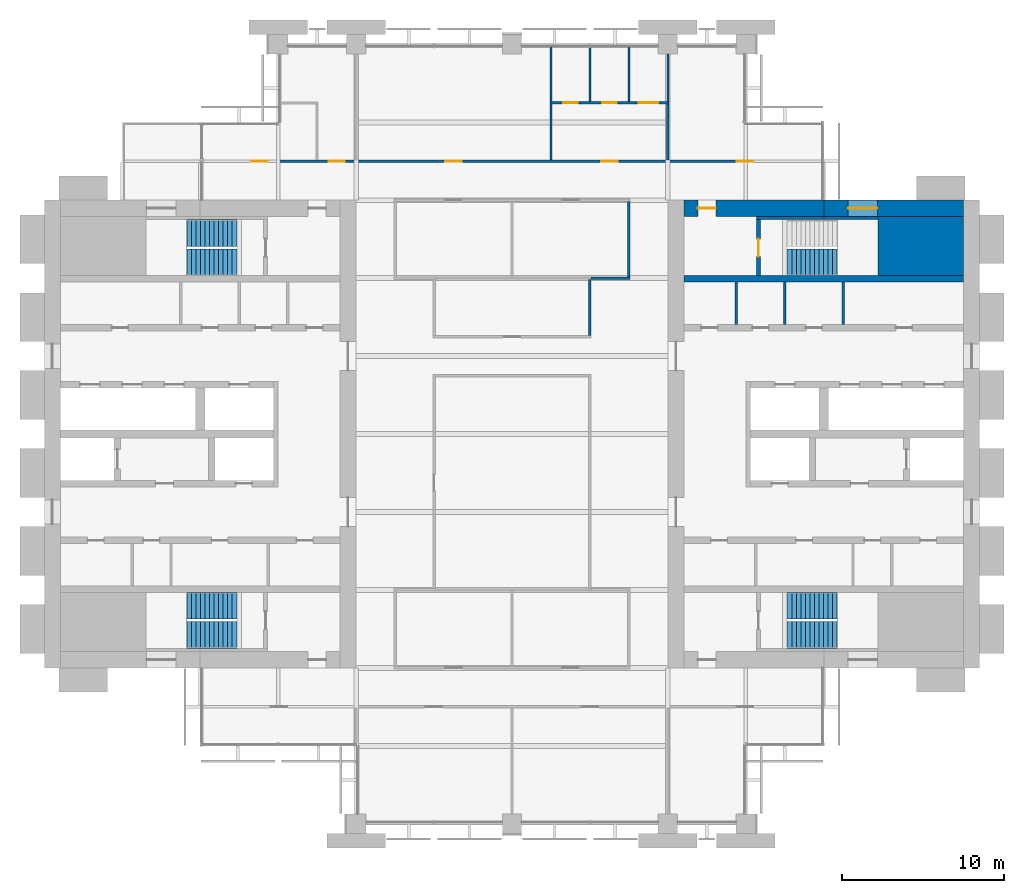
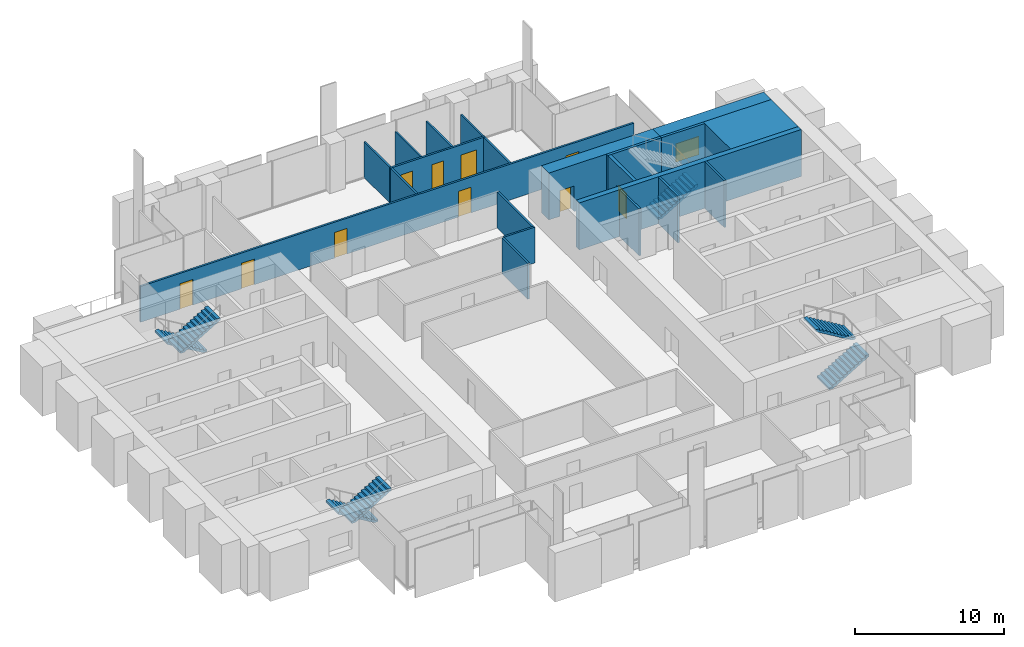
# One storey, part 12 of 14: 21 walls, 10 doors, 7 stair flights, 1 window, 11 openings, 4 elements without a shape of their own.
"""IFC4 building model written with IfcOpenShell, lengths in metres."""

from ifc_helpers import new_model, si_unit, direction, frame, frame_2d, origin, place, context, subcontext, project, spatial, polyline, rectangle, outline, extrude, material, layer, layer_set, type_object, element, fill, aggregate, save


model = new_model("IFC4")

# Units and contexts
model_context = context("Model", 3, precision=1e-05, world=origin(), true_north=direction((0.0, 1.0)))
body_context = subcontext(model_context, "Body", "Model", "MODEL_VIEW")
ifc_project = project(units=[si_unit("LENGTHUNIT", "METRE"), si_unit("AREAUNIT", "SQUARE_METRE"), si_unit("VOLUMEUNIT", "CUBIC_METRE"), si_unit("PLANEANGLEUNIT", "RADIAN"), si_unit("MASSUNIT", "GRAM", prefix="KILO")], contexts=[model_context])

# Site, building, storey
site_placement = place(None, origin())
site = spatial("IfcSite", under=ifc_project, at=site_placement, CompositionType="ELEMENT")
building_placement = place(site_placement, origin())
building = spatial("IfcBuilding", under=site, at=building_placement, Name="Baori Bourse Tower", CompositionType="ELEMENT")
storey_placement = place(building_placement, frame((0.0, 0.0, 168.10009765625)))
storey = spatial("IfcBuildingStorey", under=building, at=storey_placement, Name="L37", CompositionType="ELEMENT", Elevation=168.10009765625)

# Walls
ifc_material_1 = material(Name="Concrete f'c 60 MPa", Category="concrete")
wall_type_1 = type_object("IfcWallType", Name="Core corner block f'c 60", PredefinedType="SHEAR", material=ifc_material_1)
wall_1_placement = place(storey_placement, frame((51.35009765625, 35.574951171875, 0.0), z_axis=(0.0, 0.0, 1.0), x_axis=(1.0, 0.0, 0.0)))
element("IfcWall", 1, at=wall_1_placement, inside=storey, type_object=wall_type_1, Name="Core wall E26", PredefinedType="SHEAR", context=body_context, shape_type="SweptSolid", body=[
    extrude(rectangle(XDim=5.25, YDim=3.64990234375, at=frame_2d((2.625, 0.0))), origin(), (0.0, 0.0, 1.0), 3.83984375),
])
ifc_material_2 = material(Name="Blockwork partition", Category="masonry")
ifc_layer_1 = layer(ifc_material_2, 0.14990234375)
ifc_layer_set_1 = layer_set([ifc_layer_1], Name="Core partition 150")
wall_type_2 = type_object("IfcWallType", Name="Core partition 150", PredefinedType="PARTITIONING", material=ifc_layer_set_1)
for number, where, z_axis, x_axis, name in (
    (2, (49.199951171875, 30.75, 0.0), (0.0, 0.0, 1.0), (0.0, 1.0, 0.0), "Partition wall E22"),
    (3, (45.60009765625, 30.75, 0.0), (0.0, 0.0, 1.0), (0.0, 1.0, 0.0), "Partition wall E23"),
    (4, (42.60009765625, 30.75, 0.0), (0.0, 0.0, 1.0), (0.0, 1.0, 0.0), "Partition wall E24"),
):
    element("IfcWall", number, at=place(storey_placement, frame(where, z_axis=z_axis, x_axis=x_axis)), inside=storey, type_object=wall_type_2, Name=name, PredefinedType="PARTITIONING", context=body_context, shape_type="SweptSolid", body=[
        extrude(rectangle(XDim=2.60009765625, YDim=0.14990234375, at=frame_2d((1.300048828125, 0.0))), origin(), (0.0, 0.0, 1.0), 3.83984375),
    ])

# Wall, opening, window
ifc_material_3 = material(Name="Concrete f'c 60 MPa", Category="concrete")
ifc_layer_2 = layer(ifc_material_3, 1.0)
ifc_layer_set_2 = layer_set([ifc_layer_2], Name="Core wall 1000 f'c 60")
wall_type_3 = type_object("IfcWallType", Name="Core wall 1000 f'c 60", PredefinedType="SHEAR", material=ifc_layer_set_2)
wall_2_placement = place(storey_placement, frame((48.0, 37.89990234375, 0.0), z_axis=(0.0, 0.0, 1.0), x_axis=(1.0, 0.0, 0.0)))
wall_2 = element("IfcWall", 5, at=wall_2_placement, inside=storey, type_object=wall_type_3, Name="Core wall E30", PredefinedType="SHEAR", context=body_context, shape_type="SweptSolid", body=[
    extrude(rectangle(XDim=8.60009765625, YDim=1.0, at=frame_2d((4.300048828125, 0.0))), origin(), (0.0, 0.0, 1.0), 3.83984375),
])
opening_1_placement = place(wall_2_placement, frame((1.5, 0.0, 0.89990234375)))
opening_1 = element("IfcOpeningElement", 6, at=opening_1_placement, cuts=wall_2, Name="Opening L37-KW204", PredefinedType="OPENING", context=body_context, shape_type="SweptSolid", body=[
    extrude(rectangle(XDim=1.800048828125, YDim=1.5, at=frame_2d((0.89990234375, 0.75))), frame((0.0, 0.510009765625, 0.0), z_axis=(0.0, -1.0, 0.0), x_axis=(1.0, 0.0, 0.0)), (0.0, 0.0, 1.0), 1.02001953125),
])
ifc_material_4 = material(Name="Pale anodised aluminium", Category="aluminium")
window_type = type_object("IfcWindowType", Name="Stair window 1800 x 1500", PartitioningType="SINGLE_PANEL", PredefinedType="WINDOW", material=ifc_material_4)
window_placement = place(opening_1_placement, origin())
window = element("IfcWindow", 7, at=window_placement, inside=storey, type_object=window_type, Name="Stair window E L37 4", OverallHeight=1.5, OverallWidth=1.800048828125, PartitioningType="SINGLE_PANEL", PredefinedType="WINDOW", context=body_context, shape_type="SweptSolid", body=[
    extrude(rectangle(XDim=1.800048828125, YDim=1.5, at=frame_2d((0.89990234375, 0.75))), frame((0.0, 0.030029296875, 0.0), z_axis=(0.0, -1.0, 0.0), x_axis=(1.0, 0.0, 0.0)), (0.0, 0.0, 1.0), 0.06005859375),
])
fill(opening_1, window)

# Wall, opening, door
wall_3_placement = place(storey_placement, frame((39.39990234375, 37.89990234375, 0.0), z_axis=(0.0, 0.0, 1.0), x_axis=(1.0, 0.0, 0.0)))
wall_3 = element("IfcWall", 8, at=wall_3_placement, inside=storey, type_object=wall_type_3, Name="Core wall E31", PredefinedType="SHEAR", context=body_context, shape_type="SweptSolid", body=[
    extrude(rectangle(XDim=8.60009765625, YDim=1.0, at=frame_2d((4.300048828125, 0.0))), origin(), (0.0, 0.0, 1.0), 3.83984375),
])
opening_2_placement = place(wall_3_placement, frame((0.85009765625, 0.0, 0.0)))
opening_2 = element("IfcOpeningElement", 9, at=opening_2_placement, cuts=wall_3, Name="Opening L37-D204", PredefinedType="OPENING", context=body_context, shape_type="SweptSolid", body=[
    extrude(rectangle(XDim=1.10009765625, YDim=2.10009765625, at=frame_2d((0.550048828125, 1.050048828125))), frame((0.0, 0.510009765625, 0.0), z_axis=(0.0, -1.0, 0.0), x_axis=(1.0, 0.0, 0.0)), (0.0, 0.0, 1.0), 1.02001953125),
])
ifc_material_5 = material(Name="Painted steel door", Category="steel")
door_type_1 = type_object("IfcDoorType", Name="Stair door 1100", OperationType="SINGLE_SWING_LEFT", PredefinedType="DOOR", material=ifc_material_5)
door_1_placement = place(opening_2_placement, origin())
door_1 = element("IfcDoor", 10, at=door_1_placement, inside=storey, type_object=door_type_1, Name="Stair vestibule door B E L37", OperationType="SINGLE_SWING_LEFT", OverallHeight=2.10009765625, OverallWidth=1.10009765625, PredefinedType="DOOR", context=body_context, shape_type="SweptSolid", body=[
    extrude(rectangle(XDim=1.10009765625, YDim=2.10009765625, at=frame_2d((0.550048828125, 1.050048828125))), frame((0.0, 0.02490234375, 0.0), z_axis=(0.0, -1.0, 0.0), x_axis=(1.0, 0.0, 0.0)), (0.0, 0.0, 1.0), 0.050048828125),
])
fill(opening_2, door_1)

# Wall
ifc_material_6 = material(Name="Gypsum board partition")
ifc_layer_3 = layer(ifc_material_6, 0.14990234375)
ifc_layer_set_3 = layer_set([ifc_layer_3], Name="Corridor partition 150")
wall_type_4 = type_object("IfcWallType", Name="Corridor partition 150", PredefinedType="PARTITIONING", material=ifc_layer_set_3)
wall_4_placement = place(storey_placement, frame((33.675048828125, 33.60009765625, 0.0), z_axis=(0.0, 0.0, 1.0), x_axis=(1.0, 0.0, 0.0)))
element("IfcWall", 11, at=wall_4_placement, inside=storey, type_object=wall_type_4, Name="Partition", PredefinedType="PARTITIONING", context=body_context, shape_type="SweptSolid", body=[
    extrude(rectangle(XDim=2.39990234375, YDim=0.14990234375, at=frame_2d((1.199951171875, 0.0))), origin(), (0.0, 0.0, 1.0), 2.935546875),
])

# Wall, openings, doors
wall_5_placement = place(storey_placement, frame((9.699951171875, 40.800048828125, 0.0), z_axis=(0.0, 0.0, 1.0), x_axis=(1.0, 0.0, 0.0)))
wall_5 = element("IfcWall", 12, at=wall_5_placement, inside=storey, type_object=wall_type_4, Name="Partition", PredefinedType="PARTITIONING", context=body_context, shape_type="SweptSolid", body=[
    extrude(rectangle(XDim=38.199951171875, YDim=0.14990234375, at=frame_2d((19.10009765625, 0.0))), origin(), (0.0, 0.0, 1.0), 2.935546875),
])
opening_3_placement = place(wall_5_placement, frame((3.050048828125, 0.0, 0.0)))
opening_3 = element("IfcOpeningElement", 13, at=opening_3_placement, cuts=wall_5, Name="Opening L37-D10", PredefinedType="OPENING", context=body_context, shape_type="SweptSolid", body=[
    extrude(rectangle(XDim=1.0, YDim=2.10009765625, at=frame_2d((0.5, 1.050048828125))), frame((0.0, 0.0849609375, 0.0), z_axis=(0.0, -1.0, 0.0), x_axis=(1.0, 0.0, 0.0)), (0.0, 0.0, 1.0), 0.169921875),
])
opening_4_placement = place(wall_5_placement, frame((7.800048828125, 0.0, 0.0)))
opening_4 = element("IfcOpeningElement", 14, at=opening_4_placement, cuts=wall_5, Name="Opening L37-D11", PredefinedType="OPENING", context=body_context, shape_type="SweptSolid", body=[
    extrude(rectangle(XDim=1.0, YDim=2.10009765625, at=frame_2d((0.5, 1.050048828125))), frame((0.0, 0.0849609375, 0.0), z_axis=(0.0, -1.0, 0.0), x_axis=(1.0, 0.0, 0.0)), (0.0, 0.0, 1.0), 0.169921875),
])
opening_5_placement = place(wall_5_placement, frame((15.0, 0.0, 0.0)))
opening_5 = element("IfcOpeningElement", 15, at=opening_5_placement, cuts=wall_5, Name="Opening L37-D12", PredefinedType="OPENING", context=body_context, shape_type="SweptSolid", body=[
    extrude(rectangle(XDim=1.0, YDim=2.10009765625, at=frame_2d((0.5, 1.050048828125))), frame((0.0, 0.0849609375, 0.0), z_axis=(0.0, -1.0, 0.0), x_axis=(1.0, 0.0, 0.0)), (0.0, 0.0, 1.0), 0.169921875),
])
opening_6_placement = place(wall_5_placement, frame((24.60009765625, 0.0, 0.0)))
opening_6 = element("IfcOpeningElement", 16, at=opening_6_placement, cuts=wall_5, Name="Opening L37-D13", PredefinedType="OPENING", context=body_context, shape_type="SweptSolid", body=[
    extrude(rectangle(XDim=1.0, YDim=2.10009765625, at=frame_2d((0.5, 1.050048828125))), frame((0.0, 0.0849609375, 0.0), z_axis=(0.0, -1.0, 0.0), x_axis=(1.0, 0.0, 0.0)), (0.0, 0.0, 1.0), 0.169921875),
])
opening_7_placement = place(wall_5_placement, frame((32.949951171875, 0.0, 0.0)))
opening_7 = element("IfcOpeningElement", 17, at=opening_7_placement, cuts=wall_5, Name="Opening L37-D14", PredefinedType="OPENING", context=body_context, shape_type="SweptSolid", body=[
    extrude(rectangle(XDim=1.0, YDim=2.10009765625, at=frame_2d((0.5, 1.050048828125))), frame((0.0, 0.0849609375, 0.0), z_axis=(0.0, -1.0, 0.0), x_axis=(1.0, 0.0, 0.0)), (0.0, 0.0, 1.0), 0.169921875),
])
ifc_material_7 = material(Name="Timber door leaf", Category="wood")
door_type_2 = type_object("IfcDoorType", Name="Door 1000 x 2100", OperationType="SINGLE_SWING_LEFT", PredefinedType="DOOR", material=ifc_material_7)
door_2_placement = place(opening_3_placement, origin())
door_2 = element("IfcDoor", 18, at=door_2_placement, inside=storey, type_object=door_type_2, Name="Door", OperationType="SINGLE_SWING_RIGHT", OverallHeight=2.10009765625, OverallWidth=1.0, PredefinedType="DOOR", context=body_context, shape_type="SweptSolid", body=[
    extrude(rectangle(XDim=1.0, YDim=2.10009765625, at=frame_2d((0.5, 1.050048828125))), frame((0.0, 0.02490234375, 0.0), z_axis=(0.0, -1.0, 0.0), x_axis=(1.0, 0.0, 0.0)), (0.0, 0.0, 1.0), 0.050048828125),
])
fill(opening_3, door_2)
door_3_placement = place(opening_4_placement, origin())
door_3 = element("IfcDoor", 19, at=door_3_placement, inside=storey, type_object=door_type_2, Name="Door", OperationType="SINGLE_SWING_RIGHT", OverallHeight=2.10009765625, OverallWidth=1.0, PredefinedType="DOOR", context=body_context, shape_type="SweptSolid", body=[
    extrude(rectangle(XDim=1.0, YDim=2.10009765625, at=frame_2d((0.5, 1.050048828125))), frame((0.0, 0.02490234375, 0.0), z_axis=(0.0, -1.0, 0.0), x_axis=(1.0, 0.0, 0.0)), (0.0, 0.0, 1.0), 0.050048828125),
])
fill(opening_4, door_3)
door_4_placement = place(opening_5_placement, origin())
door_4 = element("IfcDoor", 20, at=door_4_placement, inside=storey, type_object=door_type_2, Name="Door", OperationType="SINGLE_SWING_RIGHT", OverallHeight=2.10009765625, OverallWidth=1.0, PredefinedType="DOOR", context=body_context, shape_type="SweptSolid", body=[
    extrude(rectangle(XDim=1.0, YDim=2.10009765625, at=frame_2d((0.5, 1.050048828125))), frame((0.0, 0.02490234375, 0.0), z_axis=(0.0, -1.0, 0.0), x_axis=(1.0, 0.0, 0.0)), (0.0, 0.0, 1.0), 0.050048828125),
])
fill(opening_5, door_4)
door_5_placement = place(opening_6_placement, origin())
door_5 = element("IfcDoor", 21, at=door_5_placement, inside=storey, type_object=door_type_2, Name="Door", OperationType="SINGLE_SWING_RIGHT", OverallHeight=2.10009765625, OverallWidth=1.0, PredefinedType="DOOR", context=body_context, shape_type="SweptSolid", body=[
    extrude(rectangle(XDim=1.0, YDim=2.10009765625, at=frame_2d((0.5, 1.050048828125))), frame((0.0, 0.02490234375, 0.0), z_axis=(0.0, -1.0, 0.0), x_axis=(1.0, 0.0, 0.0)), (0.0, 0.0, 1.0), 0.050048828125),
])
fill(opening_6, door_5)
door_6_placement = place(opening_7_placement, origin())
door_6 = element("IfcDoor", 22, at=door_6_placement, inside=storey, type_object=door_type_2, Name="Door", OperationType="SINGLE_SWING_LEFT", OverallHeight=2.10009765625, OverallWidth=1.0, PredefinedType="DOOR", context=body_context, shape_type="SweptSolid", body=[
    extrude(rectangle(XDim=1.0, YDim=2.10009765625, at=frame_2d((0.5, 1.050048828125))), frame((0.0, 0.02490234375, 0.0), z_axis=(0.0, -1.0, 0.0), x_axis=(1.0, 0.0, 0.0)), (0.0, 0.0, 1.0), 0.050048828125),
])
fill(opening_7, door_6)

wall_6_placement = place(storey_placement, frame((31.125, 44.39990234375, 0.0), z_axis=(0.0, 0.0, 1.0), x_axis=(1.0, 0.0, 0.0)))
wall_6 = element("IfcWall", 23, at=wall_6_placement, inside=storey, type_object=wall_type_4, Name="Partition", PredefinedType="PARTITIONING", context=body_context, shape_type="SweptSolid", body=[
    extrude(rectangle(XDim=7.35009765625, YDim=0.14990234375, at=frame_2d((3.675048828125, 0.0))), origin(), (0.0, 0.0, 1.0), 2.935546875),
])
opening_8_placement = place(wall_6_placement, frame((0.824951171875, 0.0, 0.0)))
opening_8 = element("IfcOpeningElement", 24, at=opening_8_placement, cuts=wall_6, Name="Opening L37-D15", PredefinedType="OPENING", context=body_context, shape_type="SweptSolid", body=[
    extrude(rectangle(XDim=0.89990234375, YDim=2.10009765625, at=frame_2d((0.449951171875, 1.050048828125))), frame((0.0, 0.0849609375, 0.0), z_axis=(0.0, -1.0, 0.0), x_axis=(1.0, 0.0, 0.0)), (0.0, 0.0, 1.0), 0.169921875),
])
opening_9_placement = place(wall_6_placement, frame((3.22509765625, 0.0, 0.0)))
opening_9 = element("IfcOpeningElement", 25, at=opening_9_placement, cuts=wall_6, Name="Opening L37-D16", PredefinedType="OPENING", context=body_context, shape_type="SweptSolid", body=[
    extrude(rectangle(XDim=0.89990234375, YDim=2.10009765625, at=frame_2d((0.449951171875, 1.050048828125))), frame((0.0, 0.0849609375, 0.0), z_axis=(0.0, -1.0, 0.0), x_axis=(1.0, 0.0, 0.0)), (0.0, 0.0, 1.0), 0.169921875),
])
opening_10_placement = place(wall_6_placement, frame((5.47509765625, 0.0, 0.0)))
opening_10 = element("IfcOpeningElement", 26, at=opening_10_placement, cuts=wall_6, Name="Opening L37-D17", PredefinedType="OPENING", context=body_context, shape_type="SweptSolid", body=[
    extrude(rectangle(XDim=1.199951171875, YDim=2.10009765625, at=frame_2d((0.60009765625, 1.050048828125))), frame((0.0, 0.0849609375, 0.0), z_axis=(0.0, -1.0, 0.0), x_axis=(1.0, 0.0, 0.0)), (0.0, 0.0, 1.0), 0.169921875),
])
ifc_material_8 = material(Name="Timber door leaf", Category="wood")
door_type_3 = type_object("IfcDoorType", Name="Door 1200 x 2100", OperationType="SINGLE_SWING_LEFT", PredefinedType="DOOR", material=ifc_material_8)
door_7_placement = place(opening_10_placement, origin())
door_7 = element("IfcDoor", 27, at=door_7_placement, inside=storey, type_object=door_type_3, Name="Door", OperationType="SINGLE_SWING_LEFT", OverallHeight=2.10009765625, OverallWidth=1.199951171875, PredefinedType="DOOR", context=body_context, shape_type="SweptSolid", body=[
    extrude(rectangle(XDim=1.199951171875, YDim=2.10009765625, at=frame_2d((0.60009765625, 1.050048828125))), frame((0.0, 0.02490234375, 0.0), z_axis=(0.0, -1.0, 0.0), x_axis=(1.0, 0.0, 0.0)), (0.0, 0.0, 1.0), 0.050048828125),
])
fill(opening_10, door_7)
ifc_material_9 = material(Name="Timber door leaf", Category="wood")
door_type_4 = type_object("IfcDoorType", Name="Door 900 x 2100", OperationType="SINGLE_SWING_LEFT", PredefinedType="DOOR", material=ifc_material_9)
door_8_placement = place(opening_8_placement, origin())
door_8 = element("IfcDoor", 28, at=door_8_placement, inside=storey, type_object=door_type_4, Name="Door", OperationType="SINGLE_SWING_RIGHT", OverallHeight=2.10009765625, OverallWidth=0.89990234375, PredefinedType="DOOR", context=body_context, shape_type="SweptSolid", body=[
    extrude(rectangle(XDim=0.89990234375, YDim=2.10009765625, at=frame_2d((0.449951171875, 1.050048828125))), frame((0.0, 0.02490234375, 0.0), z_axis=(0.0, -1.0, 0.0), x_axis=(1.0, 0.0, 0.0)), (0.0, 0.0, 1.0), 0.050048828125),
])
fill(opening_8, door_8)
door_9_placement = place(opening_9_placement, origin())
door_9 = element("IfcDoor", 29, at=door_9_placement, inside=storey, type_object=door_type_4, Name="Door", OperationType="SINGLE_SWING_RIGHT", OverallHeight=2.10009765625, OverallWidth=0.89990234375, PredefinedType="DOOR", context=body_context, shape_type="SweptSolid", body=[
    extrude(rectangle(XDim=0.89990234375, YDim=2.10009765625, at=frame_2d((0.449951171875, 1.050048828125))), frame((0.0, 0.02490234375, 0.0), z_axis=(0.0, -1.0, 0.0), x_axis=(1.0, 0.0, 0.0)), (0.0, 0.0, 1.0), 0.050048828125),
])
fill(opening_9, door_9)

# Walls
for number, where, z_axis, x_axis, name in (
    (30, (31.199951171875, 40.875, 0.0), (0.0, 0.0, 1.0), (0.0, 1.0, 0.0), "Partition"),
    (31, (33.60009765625, 30.074951171875, 0.0), (0.0, 0.0, 1.0), (0.0, 1.0, 0.0), "Partition"),
):
    element("IfcWall", number, at=place(storey_placement, frame(where, z_axis=z_axis, x_axis=x_axis)), inside=storey, type_object=wall_type_4, Name=name, PredefinedType="PARTITIONING", context=body_context, shape_type="SweptSolid", body=[
        extrude(rectangle(XDim=3.449951171875, YDim=0.14990234375, at=frame_2d((1.72509765625, 0.0))), origin(), (0.0, 0.0, 1.0), 2.935546875),
    ])
wall_7_placement = place(storey_placement, frame((36.0, 33.675048828125, 0.0), z_axis=(0.0, 0.0, 1.0), x_axis=(0.0, 1.0, 0.0)))
element("IfcWall", 32, at=wall_7_placement, inside=storey, type_object=wall_type_4, Name="Partition", PredefinedType="PARTITIONING", context=body_context, shape_type="SweptSolid", body=[
    extrude(rectangle(XDim=4.64990234375, YDim=0.14990234375, at=frame_2d((2.324951171875, 0.0))), origin(), (0.0, 0.0, 1.0), 2.935546875),
])
wall_8_placement = place(storey_placement, frame((38.39990234375, 40.875, 0.0), z_axis=(0.0, 0.0, 1.0), x_axis=(0.0, 1.0, 0.0)))
element("IfcWall", 33, at=wall_8_placement, inside=storey, type_object=wall_type_4, Name="Partition", PredefinedType="PARTITIONING", context=body_context, shape_type="SweptSolid", body=[
    extrude(rectangle(XDim=3.449951171875, YDim=0.14990234375, at=frame_2d((1.72509765625, 0.0))), origin(), (0.0, 0.0, 1.0), 2.935546875),
])
ifc_material_10 = material(Name="Gypsum board partition")
ifc_layer_4 = layer(ifc_material_10, 0.125)
ifc_layer_set_4 = layer_set([ifc_layer_4], Name="Partition 125")
wall_type_5 = type_object("IfcWallType", Name="Partition 125", PredefinedType="PARTITIONING", material=ifc_layer_set_4)
for number, where, z_axis, x_axis, name in (
    (34, (31.199951171875, 44.47509765625, 0.0), (0.0, 0.0, 1.0), (0.0, 1.0, 0.0), "Partition"),
    (35, (33.60009765625, 44.47509765625, 0.0), (0.0, 0.0, 1.0), (0.0, 1.0, 0.0), "Partition"),
    (36, (36.0, 44.47509765625, 0.0), (0.0, 0.0, 1.0), (0.0, 1.0, 0.0), "Partition"),
):
    element("IfcWall", number, at=place(storey_placement, frame(where, z_axis=z_axis, x_axis=x_axis)), inside=storey, type_object=wall_type_5, Name=name, PredefinedType="PARTITIONING", context=body_context, shape_type="SweptSolid", body=[
        extrude(rectangle(XDim=3.4248046875, YDim=0.125, at=frame_2d((1.71240234375, 0.0))), origin(), (0.0, 0.0, 1.0), 2.935546875),
    ])
wall_9_placement = place(storey_placement, frame((38.39990234375, 44.47509765625, 0.0), z_axis=(0.0, 0.0, 1.0), x_axis=(0.0, 1.0, 0.0)))
element("IfcWall", 37, at=wall_9_placement, inside=storey, type_object=wall_type_5, Name="Partition", PredefinedType="PARTITIONING", context=body_context, shape_type="SweptSolid", body=[
    extrude(rectangle(XDim=2.9248046875, YDim=0.125, at=frame_2d((1.46240234375, 0.0))), origin(), (0.0, 0.0, 1.0), 2.935546875),
])
ifc_material_11 = material(Name="Concrete f'c 60 MPa", Category="concrete")
ifc_layer_5 = layer(ifc_material_11, 0.199951171875)
ifc_layer_set_5 = layer_set([ifc_layer_5], Name="Shaft wall 200 f'c 60")
wall_type_6 = type_object("IfcWallType", Name="Shaft wall 200 f'c 60", PredefinedType="SHEAR", material=ifc_layer_set_5)
wall_10_placement = place(storey_placement, frame((48.0, 37.300048828125, 0.0), z_axis=(0.0, 0.0, 1.0), x_axis=(1.0, 0.0, 0.0)))
element("IfcWall", 38, at=wall_10_placement, inside=storey, type_object=wall_type_6, Name="Core wall E28", PredefinedType="SHEAR", context=body_context, shape_type="SweptSolid", body=[
    extrude(rectangle(XDim=3.35009765625, YDim=0.199951171875, at=frame_2d((1.675048828125, 0.0))), origin(), (0.0, 0.0, 1.0), 3.83984375),
])
wall_11_placement = place(storey_placement, frame((43.85009765625, 37.300048828125, 0.0), z_axis=(0.0, 0.0, 1.0), x_axis=(1.0, 0.0, 0.0)))
element("IfcWall", 39, at=wall_11_placement, inside=storey, type_object=wall_type_6, Name="Core wall E29", PredefinedType="SHEAR", context=body_context, shape_type="SweptSolid", body=[
    extrude(rectangle(XDim=4.14990234375, YDim=0.199951171875, at=frame_2d((2.074951171875, 0.0))), origin(), (0.0, 0.0, 1.0), 3.83984375),
])

# Wall, opening, door
ifc_material_12 = material(Name="Concrete f'c 60 MPa", Category="concrete")
ifc_layer_6 = layer(ifc_material_12, 0.25)
ifc_layer_set_6 = layer_set([ifc_layer_6], Name="Shaft wall 250 f'c 60")
wall_type_7 = type_object("IfcWallType", Name="Shaft wall 250 f'c 60", PredefinedType="SHEAR", material=ifc_layer_set_6)
wall_12_placement = place(storey_placement, frame((43.97509765625, 33.75, 0.0), z_axis=(0.0, 0.0, 1.0), x_axis=(0.0, 1.0, 0.0)))
wall_12 = element("IfcWall", 40, at=wall_12_placement, inside=storey, type_object=wall_type_7, Name="Core wall E27", PredefinedType="SHEAR", context=body_context, shape_type="SweptSolid", body=[
    extrude(rectangle(XDim=3.449951171875, YDim=0.25, at=frame_2d((1.72509765625, 0.0))), origin(), (0.0, 0.0, 1.0), 3.83984375),
])
opening_11_placement = place(wall_12_placement, frame((1.175048828125, 0.0, 0.0)))
opening_11 = element("IfcOpeningElement", 41, at=opening_11_placement, cuts=wall_12, Name="Opening L37-D203", PredefinedType="OPENING", context=body_context, shape_type="SweptSolid", body=[
    extrude(rectangle(XDim=1.10009765625, YDim=2.10009765625, at=frame_2d((0.550048828125, 1.050048828125))), frame((0.0, 0.135009765625, 0.0), z_axis=(0.0, -1.0, 0.0), x_axis=(1.0, 0.0, 0.0)), (0.0, 0.0, 1.0), 0.27001953125),
])
door_10_placement = place(opening_11_placement, origin())
door_10 = element("IfcDoor", 42, at=door_10_placement, inside=storey, type_object=door_type_1, Name="Stair door B E L37", OperationType="SINGLE_SWING_LEFT", OverallHeight=2.10009765625, OverallWidth=1.10009765625, PredefinedType="DOOR", context=body_context, shape_type="SweptSolid", body=[
    extrude(rectangle(XDim=1.10009765625, YDim=2.10009765625, at=frame_2d((0.550048828125, 1.050048828125))), frame((0.0, 0.02490234375, 0.0), z_axis=(0.0, -1.0, 0.0), x_axis=(1.0, 0.0, 0.0)), (0.0, 0.0, 1.0), 0.050048828125),
])
fill(opening_11, door_10)

# Wall
ifc_material_13 = material(Name="Concrete f'c 60 MPa", Category="concrete")
ifc_layer_7 = layer(ifc_material_13, 0.39990234375)
ifc_layer_set_7 = layer_set([ifc_layer_7], Name="Shaft wall 400 f'c 60")
wall_type_8 = type_object("IfcWallType", Name="Shaft wall 400 f'c 60", PredefinedType="SHEAR", material=ifc_layer_set_7)
wall_13_placement = place(storey_placement, frame((39.39990234375, 33.550048828125, 0.0), z_axis=(0.0, 0.0, 1.0), x_axis=(1.0, 0.0, 0.0)))
element("IfcWall", 43, at=wall_13_placement, inside=storey, type_object=wall_type_8, Name="Core wall E25", PredefinedType="SHEAR", context=body_context, shape_type="SweptSolid", body=[
    extrude(rectangle(XDim=17.2001953125, YDim=0.39990234375, at=frame_2d((8.60009765625, 0.0))), origin(), (0.0, 0.0, 1.0), 3.83984375),
])

# Stair, stair flights
ifc_material_14 = material(Name="Concrete f'c 50 MPa", Category="concrete")
stair_type = type_object("IfcStairType", Name="Core stair", PredefinedType="HALF_TURN_STAIR", material=ifc_material_14)
stair_1_placement = place(storey_placement, origin())
stair_1 = element("IfcStair", 44, at=stair_1_placement, inside=storey, type_object=stair_type, Name="L37 Stair WA", PredefinedType="HALF_TURN_STAIR")
ifc_material_15 = material(Name="Concrete f'c 50 MPa", Category="concrete")
stair_flight_type = type_object("IfcStairFlightType", Name="Core stair flight", PredefinedType="STRAIGHT", material=ifc_material_15)
stair_flight_1_placement = place(storey_placement, frame((11.85009765625, 13.425048828125, 0.0), z_axis=(0.0, 0.0, 1.0), x_axis=(-1.0, 0.0, 0.0)))
stair_flight_1 = element("IfcStairFlight", 45, at=stair_flight_1_placement, type_object=stair_flight_type, Name="ST1 flight 1", NumberOfRisers=12, NumberOfTreads=11, PredefinedType="STRAIGHT", RiserHeight=0.166666667, TreadLength=0.28, context=body_context, shape_type="SweptSolid", body=[
    extrude(outline(polyline([(0.0, 0.0), (0.0, 0.166748046875), (0.280029296875, 0.166748046875), (0.280029296875, 0.333251953125), (0.56005859375, 0.333251953125), (0.56005859375, 0.5), (0.840087890625, 0.5), (0.840087890625, 0.666748046875), (1.1201171875, 0.666748046875), (1.1201171875, 0.833251953125), (1.39990234375, 0.833251953125), (1.39990234375, 1.0), (1.679931640625, 1.0), (1.679931640625, 1.166748046875), (1.9599609375, 1.166748046875), (1.9599609375, 1.333251953125), (2.239990234375, 1.333251953125), (2.239990234375, 1.5), (2.52001953125, 1.5), (2.52001953125, 1.666748046875), (2.800048828125, 1.666748046875), (2.800048828125, 1.833251953125), (3.080078125, 1.833251953125), (3.080078125, 2.0), (3.080078125, 1.658935546875), (0.29296875, 0.0), (0.0, 0.0)])), frame((0.0, 0.824951171875, 0.0), z_axis=(0.0, -1.0, 0.0), x_axis=(1.0, 0.0, 0.0)), (0.0, 0.0, 1.0), 1.64990234375),
])
stair_flight_2_placement = place(storey_placement, frame((8.77001953125, 11.625, 2.0), z_axis=(0.0, 0.0, 1.0), x_axis=(1.0, 0.0, 0.0)))
stair_flight_2 = element("IfcStairFlight", 46, at=stair_flight_2_placement, type_object=stair_flight_type, Name="ST1 flight 2", NumberOfRisers=12, NumberOfTreads=11, PredefinedType="STRAIGHT", RiserHeight=0.166666667, TreadLength=0.28, context=body_context, shape_type="SweptSolid", body=[
    extrude(outline(polyline([(0.0, 0.0), (0.0, 0.166748046875), (0.280029296875, 0.166748046875), (0.280029296875, 0.333251953125), (0.56005859375, 0.333251953125), (0.56005859375, 0.5), (0.840087890625, 0.5), (0.840087890625, 0.666748046875), (1.1201171875, 0.666748046875), (1.1201171875, 0.833251953125), (1.39990234375, 0.833251953125), (1.39990234375, 1.0), (1.679931640625, 1.0), (1.679931640625, 1.166748046875), (1.9599609375, 1.166748046875), (1.9599609375, 1.333251953125), (2.239990234375, 1.333251953125), (2.239990234375, 1.5), (2.52001953125, 1.5), (2.52001953125, 1.666748046875), (2.800048828125, 1.666748046875), (2.800048828125, 1.833251953125), (3.080078125, 1.833251953125), (3.080078125, 2.0), (3.080078125, 1.658935546875), (0.29296875, 0.0), (0.0, 0.0)])), frame((0.0, 0.824951171875, 0.0), z_axis=(0.0, -1.0, 0.0), x_axis=(1.0, 0.0, 0.0)), (0.0, 0.0, 1.0), 1.64990234375),
])
aggregate(stair_1, [stair_flight_1, stair_flight_2])

stair_2_placement = place(storey_placement, origin())
stair_2 = element("IfcStair", 47, at=stair_2_placement, inside=storey, type_object=stair_type, Name="L37 Stair WB", PredefinedType="HALF_TURN_STAIR")
stair_flight_3_placement = place(storey_placement, frame((11.85009765625, 36.375, 0.0), z_axis=(0.0, 0.0, 1.0), x_axis=(-1.0, 0.0, 0.0)))
stair_flight_3 = element("IfcStairFlight", 48, at=stair_flight_3_placement, type_object=stair_flight_type, Name="ST2 flight 1", NumberOfRisers=12, NumberOfTreads=11, PredefinedType="STRAIGHT", RiserHeight=0.166666667, TreadLength=0.28, context=body_context, shape_type="SweptSolid", body=[
    extrude(outline(polyline([(0.0, 0.0), (0.0, 0.166748046875), (0.280029296875, 0.166748046875), (0.280029296875, 0.333251953125), (0.56005859375, 0.333251953125), (0.56005859375, 0.5), (0.840087890625, 0.5), (0.840087890625, 0.666748046875), (1.1201171875, 0.666748046875), (1.1201171875, 0.833251953125), (1.39990234375, 0.833251953125), (1.39990234375, 1.0), (1.679931640625, 1.0), (1.679931640625, 1.166748046875), (1.9599609375, 1.166748046875), (1.9599609375, 1.333251953125), (2.239990234375, 1.333251953125), (2.239990234375, 1.5), (2.52001953125, 1.5), (2.52001953125, 1.666748046875), (2.800048828125, 1.666748046875), (2.800048828125, 1.833251953125), (3.080078125, 1.833251953125), (3.080078125, 2.0), (3.080078125, 1.658935546875), (0.29296875, 0.0), (0.0, 0.0)])), frame((0.0, 0.824951171875, 0.0), z_axis=(0.0, -1.0, 0.0), x_axis=(1.0, 0.0, 0.0)), (0.0, 0.0, 1.0), 1.64990234375),
])
stair_flight_4_placement = place(storey_placement, frame((8.77001953125, 34.574951171875, 2.0), z_axis=(0.0, 0.0, 1.0), x_axis=(1.0, 0.0, 0.0)))
stair_flight_4 = element("IfcStairFlight", 49, at=stair_flight_4_placement, type_object=stair_flight_type, Name="ST2 flight 2", NumberOfRisers=12, NumberOfTreads=11, PredefinedType="STRAIGHT", RiserHeight=0.166666667, TreadLength=0.28, context=body_context, shape_type="SweptSolid", body=[
    extrude(outline(polyline([(0.0, 0.0), (0.0, 0.166748046875), (0.280029296875, 0.166748046875), (0.280029296875, 0.333251953125), (0.56005859375, 0.333251953125), (0.56005859375, 0.5), (0.840087890625, 0.5), (0.840087890625, 0.666748046875), (1.1201171875, 0.666748046875), (1.1201171875, 0.833251953125), (1.39990234375, 0.833251953125), (1.39990234375, 1.0), (1.679931640625, 1.0), (1.679931640625, 1.166748046875), (1.9599609375, 1.166748046875), (1.9599609375, 1.333251953125), (2.239990234375, 1.333251953125), (2.239990234375, 1.5), (2.52001953125, 1.5), (2.52001953125, 1.666748046875), (2.800048828125, 1.666748046875), (2.800048828125, 1.833251953125), (3.080078125, 1.833251953125), (3.080078125, 2.0), (3.080078125, 1.658935546875), (0.29296875, 0.0), (0.0, 0.0)])), frame((0.0, 0.824951171875, 0.0), z_axis=(0.0, -1.0, 0.0), x_axis=(1.0, 0.0, 0.0)), (0.0, 0.0, 1.0), 1.64990234375),
])
aggregate(stair_2, [stair_flight_3, stair_flight_4])

stair_3_placement = place(storey_placement, origin())
stair_3 = element("IfcStair", 50, at=stair_3_placement, inside=storey, type_object=stair_type, Name="L37 Stair EA", PredefinedType="HALF_TURN_STAIR")
stair_flight_5_placement = place(storey_placement, frame((45.75, 11.625, 0.0), z_axis=(0.0, 0.0, 1.0), x_axis=(1.0, 0.0, 0.0)))
stair_flight_5 = element("IfcStairFlight", 51, at=stair_flight_5_placement, type_object=stair_flight_type, Name="ST3 flight 1", NumberOfRisers=12, NumberOfTreads=11, PredefinedType="STRAIGHT", RiserHeight=0.166666667, TreadLength=0.28, context=body_context, shape_type="SweptSolid", body=[
    extrude(outline(polyline([(0.0, 0.0), (0.0, 0.166748046875), (0.280029296875, 0.166748046875), (0.280029296875, 0.333251953125), (0.56005859375, 0.333251953125), (0.56005859375, 0.5), (0.840087890625, 0.5), (0.840087890625, 0.666748046875), (1.1201171875, 0.666748046875), (1.1201171875, 0.833251953125), (1.39990234375, 0.833251953125), (1.39990234375, 1.0), (1.679931640625, 1.0), (1.679931640625, 1.166748046875), (1.9599609375, 1.166748046875), (1.9599609375, 1.333251953125), (2.239990234375, 1.333251953125), (2.239990234375, 1.5), (2.52001953125, 1.5), (2.52001953125, 1.666748046875), (2.800048828125, 1.666748046875), (2.800048828125, 1.833251953125), (3.080078125, 1.833251953125), (3.080078125, 2.0), (3.080078125, 1.658935546875), (0.29296875, 0.0), (0.0, 0.0)])), frame((0.0, 0.824951171875, 0.0), z_axis=(0.0, -1.0, 0.0), x_axis=(1.0, 0.0, 0.0)), (0.0, 0.0, 1.0), 1.64990234375),
])
stair_flight_6_placement = place(storey_placement, frame((48.830078125, 13.425048828125, 2.0), z_axis=(0.0, 0.0, 1.0), x_axis=(-1.0, 0.0, 0.0)))
stair_flight_6 = element("IfcStairFlight", 52, at=stair_flight_6_placement, type_object=stair_flight_type, Name="ST3 flight 2", NumberOfRisers=12, NumberOfTreads=11, PredefinedType="STRAIGHT", RiserHeight=0.166666667, TreadLength=0.28, context=body_context, shape_type="SweptSolid", body=[
    extrude(outline(polyline([(0.0, 0.0), (0.0, 0.166748046875), (0.280029296875, 0.166748046875), (0.280029296875, 0.333251953125), (0.56005859375, 0.333251953125), (0.56005859375, 0.5), (0.840087890625, 0.5), (0.840087890625, 0.666748046875), (1.1201171875, 0.666748046875), (1.1201171875, 0.833251953125), (1.39990234375, 0.833251953125), (1.39990234375, 1.0), (1.679931640625, 1.0), (1.679931640625, 1.166748046875), (1.9599609375, 1.166748046875), (1.9599609375, 1.333251953125), (2.239990234375, 1.333251953125), (2.239990234375, 1.5), (2.52001953125, 1.5), (2.52001953125, 1.666748046875), (2.800048828125, 1.666748046875), (2.800048828125, 1.833251953125), (3.080078125, 1.833251953125), (3.080078125, 2.0), (3.080078125, 1.658935546875), (0.29296875, 0.0), (0.0, 0.0)])), frame((0.0, 0.824951171875, 0.0), z_axis=(0.0, -1.0, 0.0), x_axis=(1.0, 0.0, 0.0)), (0.0, 0.0, 1.0), 1.64990234375),
])
aggregate(stair_3, [stair_flight_5, stair_flight_6])

# Stair, stair flight
stair_4_placement = place(storey_placement, origin())
stair_4 = element("IfcStair", 53, at=stair_4_placement, inside=storey, type_object=stair_type, Name="L37 Stair EB", PredefinedType="HALF_TURN_STAIR")
stair_flight_7_placement = place(storey_placement, frame((45.75, 34.574951171875, 0.0), z_axis=(0.0, 0.0, 1.0), x_axis=(1.0, 0.0, 0.0)))
stair_flight_7 = element("IfcStairFlight", 54, at=stair_flight_7_placement, type_object=stair_flight_type, Name="ST4 flight 1", NumberOfRisers=12, NumberOfTreads=11, PredefinedType="STRAIGHT", RiserHeight=0.166666667, TreadLength=0.28, context=body_context, shape_type="SweptSolid", body=[
    extrude(outline(polyline([(0.0, 0.0), (0.0, 0.166748046875), (0.280029296875, 0.166748046875), (0.280029296875, 0.333251953125), (0.56005859375, 0.333251953125), (0.56005859375, 0.5), (0.840087890625, 0.5), (0.840087890625, 0.666748046875), (1.1201171875, 0.666748046875), (1.1201171875, 0.833251953125), (1.39990234375, 0.833251953125), (1.39990234375, 1.0), (1.679931640625, 1.0), (1.679931640625, 1.166748046875), (1.9599609375, 1.166748046875), (1.9599609375, 1.333251953125), (2.239990234375, 1.333251953125), (2.239990234375, 1.5), (2.52001953125, 1.5), (2.52001953125, 1.666748046875), (2.800048828125, 1.666748046875), (2.800048828125, 1.833251953125), (3.080078125, 1.833251953125), (3.080078125, 2.0), (3.080078125, 1.658935546875), (0.29296875, 0.0), (0.0, 0.0)])), frame((0.0, 0.824951171875, 0.0), z_axis=(0.0, -1.0, 0.0), x_axis=(1.0, 0.0, 0.0)), (0.0, 0.0, 1.0), 1.64990234375),
])
aggregate(stair_4, [stair_flight_7])

save(model, "model.ifc")
